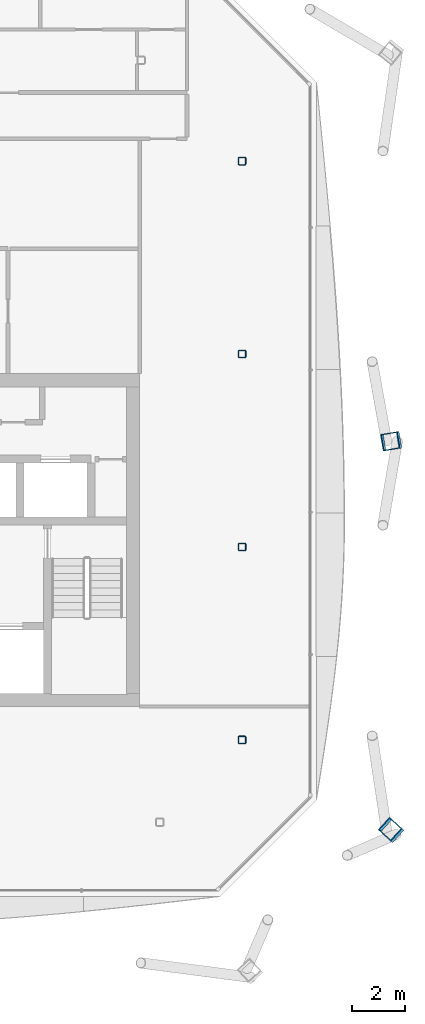
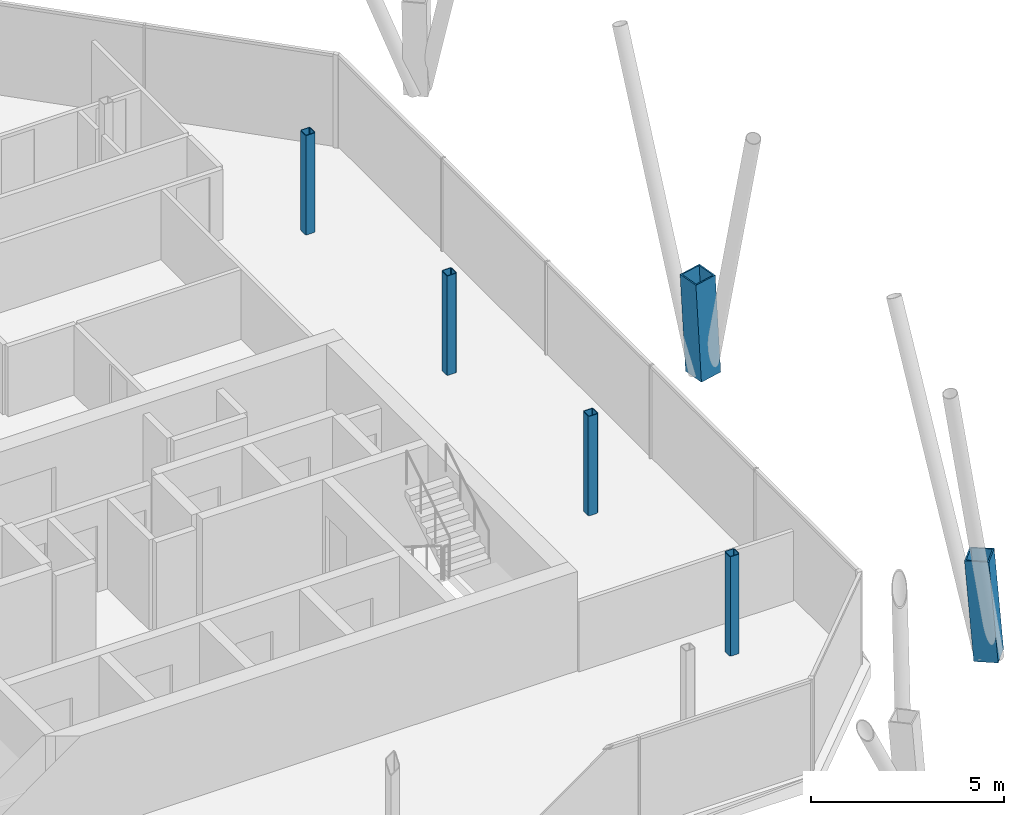
# One storey, part 2 of 18: 6 columns.
"""IFC4 building model written with IfcOpenShell, lengths in metres."""

from ifc_helpers import new_model, si_unit, direction, frame, origin, origin_2d, place, context, subcontext, project, spatial, hollow_rectangle, extrude, material, material_profile, profile_set, type_object, element, save


model = new_model("IFC4")

# Units and contexts
model_context = context("Model", 3, precision=1e-05, world=origin(), true_north=direction((0.0, 1.0)))
body_context = subcontext(model_context, "Body", "Model", "MODEL_VIEW")
ifc_project = project(units=[si_unit("LENGTHUNIT", "METRE"), si_unit("AREAUNIT", "SQUARE_METRE"), si_unit("VOLUMEUNIT", "CUBIC_METRE"), si_unit("PLANEANGLEUNIT", "RADIAN"), si_unit("MASSUNIT", "GRAM", prefix="KILO")], contexts=[model_context])

# Site, building, storey
site_placement = place(None, origin())
site = spatial("IfcSite", under=ifc_project, at=site_placement, CompositionType="ELEMENT")
building_placement = place(site_placement, origin())
building = spatial("IfcBuilding", under=site, at=building_placement, Name="Tskaro Facet Tower", CompositionType="ELEMENT")
storey_placement = place(building_placement, frame((0.0, 0.0, 217.199951171875)))
storey = spatial("IfcBuildingStorey", under=building, at=storey_placement, Name="L55", CompositionType="ELEMENT", Elevation=217.199951171875)

# Columns
ifc_material_1 = material(Name="Steel S355J2", Category="steel")
ifc_material_profile_1 = material_profile(ifc_material_1, hollow_rectangle(XDim=0.64990234375, YDim=0.64990234375, WallThickness=0.0400390625, at=origin_2d()), Name="BOX 650x650x40")
ifc_profile_set_1 = profile_set([ifc_material_profile_1], Name="Steel S355J2")
column_type_1 = type_object("IfcColumnType", Name="BOX 650x650x40 mega column", PredefinedType="COLUMN", material=ifc_profile_set_1)
column_1_placement = place(storey_placement, frame((19.0849609375, -16.719970703125, 0.0), z_axis=(-0.057869979134, 0.052847884817, 0.996924353492), x_axis=(-0.674339490337, -0.738421459448, 0.0)))
element("IfcColumn", 1, at=column_1_placement, inside=storey, type_object=column_type_1, Name="BOX 650x650x40 MC04/5", PredefinedType="COLUMN", context=body_context, shape_type="SweptSolid", body=[
    extrude(hollow_rectangle(XDim=0.64990234375, YDim=0.64990234375, WallThickness=0.0400390625, at=origin_2d()), origin(), (0.0, 0.0, 1.0), 3.159912109375),
])
column_2_placement = place(storey_placement, frame((19.0849609375, -1.9130859375, 0.0), z_axis=(-0.057948337275, -0.009516215601, 0.998274226777), x_axis=(0.162048444398, -0.986782803695, 0.0)))
element("IfcColumn", 2, at=column_2_placement, inside=storey, type_object=column_type_1, Name="BOX 650x650x40 MC05/5", PredefinedType="COLUMN", context=body_context, shape_type="SweptSolid", body=[
    extrude(hollow_rectangle(XDim=0.64990234375, YDim=0.64990234375, WallThickness=0.0400390625, at=origin_2d()), origin(), (0.0, 0.0, 1.0), 3.155517578125),
])
ifc_material_2 = material(Name="Steel S355J2H", Category="steel")
ifc_material_profile_2 = material_profile(ifc_material_2, hollow_rectangle(XDim=0.300048828125, YDim=0.300048828125, WallThickness=0.02001953125, InnerFilletRadius=0.030029296875, OuterFilletRadius=0.050048828125, at=origin_2d()), Name="SHS 300x300x20")
ifc_profile_set_2 = profile_set([ifc_material_profile_2], Name="Steel S355J2H")
column_type_2 = type_object("IfcColumnType", Name="SHS 300x300x20 ring column", PredefinedType="COLUMN", material=ifc_profile_set_2)
for number, where, z_axis, x_axis, name in (
    (3, (13.39111328125, -13.26806640625, 0.0), (0.0, 0.0, 1.0), (1.0, 0.0, 0.0), "SHS 300x300x20 RE-1/5"),
    (4, (13.39111328125, -5.93701171875, 0.0), (0.0, 0.0, 1.0), (1.0, 0.0, 0.0), "SHS 300x300x20 RE-2/5"),
    (5, (13.39111328125, 1.39404296875, 0.0), (0.0, 0.0, 1.0), (1.0, 0.0, 0.0), "SHS 300x300x20 RE-3/5"),
    (6, (13.39111328125, 8.72509765625, 0.0), (0.0, 0.0, 1.0), (1.0, 0.0, 0.0), "SHS 300x300x20 RNE-1/5"),
):
    element("IfcColumn", number, at=place(storey_placement, frame(where, z_axis=z_axis, x_axis=x_axis)), inside=storey, type_object=column_type_2, Name=name, PredefinedType="COLUMN", context=body_context, shape_type="SweptSolid", body=[
        extrude(hollow_rectangle(XDim=0.300048828125, YDim=0.300048828125, WallThickness=0.02001953125, InnerFilletRadius=0.030029296875, OuterFilletRadius=0.050048828125, at=origin_2d()), origin(), (0.0, 0.0, 1.0), 3.150146484375),
    ])

save(model, "model.ifc")
